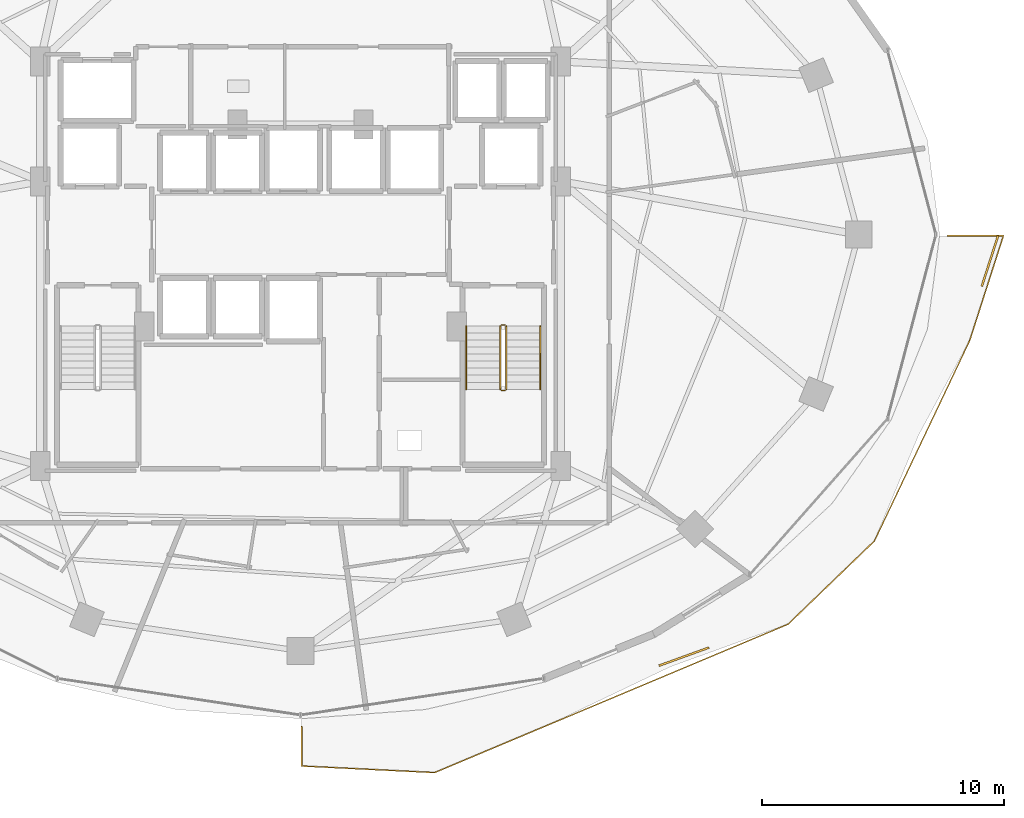
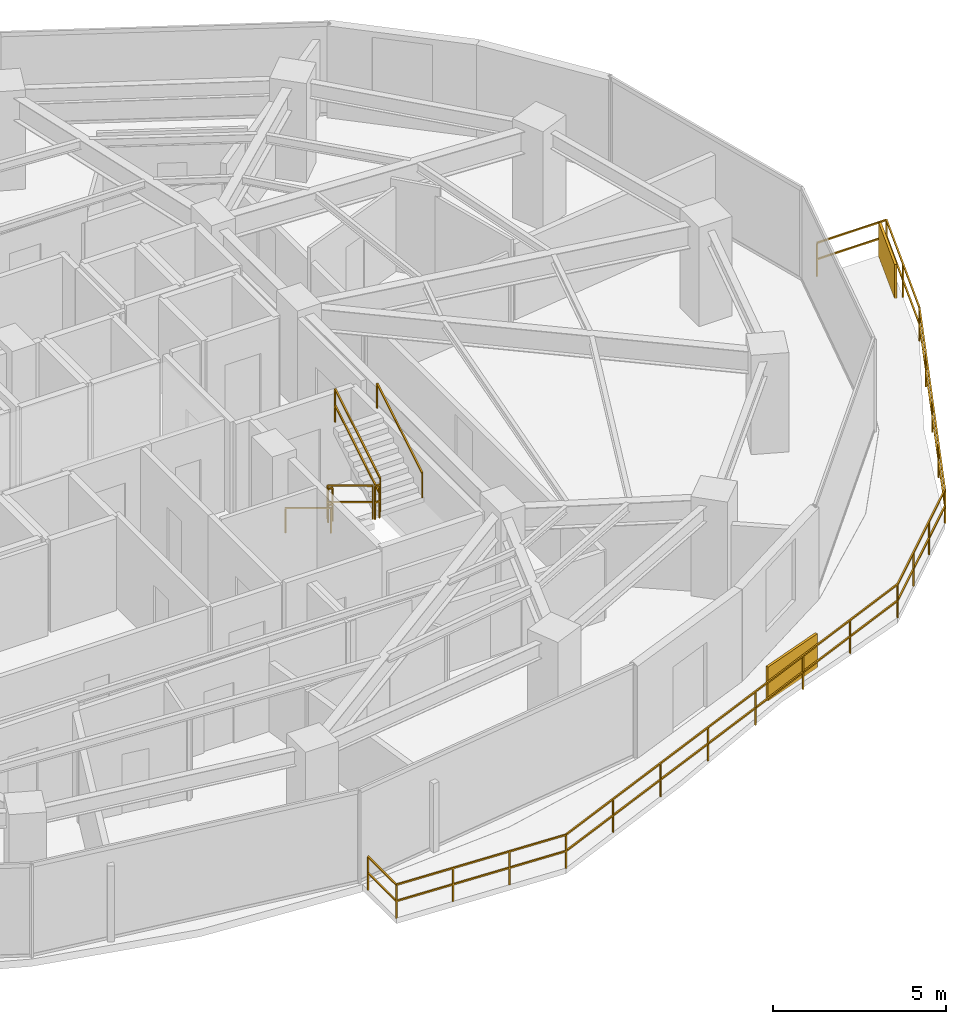
# One storey, part 28 of 30: 8 railings, 2 shading devices.
"""IFC4 building model written with IfcOpenShell, lengths in metres."""

from ifc_helpers import new_model, si_unit, direction, frame, origin, origin_2d, place, context, subcontext, project, spatial, rectangle, extrude, material, type_object, element, save


model = new_model("IFC4")

# Units and contexts
model_context = context("Model", 3, precision=1e-05, world=origin(), true_north=direction((0.0, 1.0)))
body_context = subcontext(model_context, "Body", "Model", "MODEL_VIEW")
ifc_project = project(units=[si_unit("LENGTHUNIT", "METRE"), si_unit("AREAUNIT", "SQUARE_METRE"), si_unit("VOLUMEUNIT", "CUBIC_METRE"), si_unit("PLANEANGLEUNIT", "RADIAN"), si_unit("MASSUNIT", "GRAM", prefix="KILO")], contexts=[model_context])

# Site, building, storey
site_placement = place(None, origin())
site = spatial("IfcSite", under=ifc_project, at=site_placement, CompositionType="ELEMENT")
building_placement = place(site_placement, origin())
building = spatial("IfcBuilding", under=site, at=building_placement, Name="Vorneva Point Tower", CompositionType="ELEMENT")
storey_placement = place(building_placement, frame((0.0, 0.0, 92.800048828125)))
storey = spatial("IfcBuildingStorey", under=building, at=storey_placement, Name="L24", CompositionType="ELEMENT", Elevation=92.800048828125)

# Railings
ifc_material_1 = material(Name="Pale anodised aluminium", Category="aluminium")
railing_type_1 = type_object("IfcRailingType", Name="RL-BAL-1200", PredefinedType="BALUSTRADE", material=ifc_material_1)
railing_1_placement = place(storey_placement, frame((65.646728515625, 21.6376953125, 0.0)))
element("IfcRailing", 1, at=railing_1_placement, inside=storey, type_object=railing_type_1, Name="L24 Wave Balcony Balustrade SE.1", PredefinedType="BALUSTRADE", context=body_context, shape_type="SweptSolid", body=[
    extrude(rectangle(XDim=0.048095703125, YDim=0.048095703125, at=origin_2d()), frame((0.0, 0.0, 1.17578125), z_axis=(0.306234224513, 0.951956196333, 0.0), x_axis=(-0.951956196333, 0.306234224513, 0.0)), (0.0, 0.0, 1.0), 4.52978515625),
    extrude(rectangle(XDim=0.048095703125, YDim=0.048095703125, at=origin_2d()), frame((0.0, 0.0, 0.60009765625), z_axis=(0.306234224513, 0.951956196333, 0.0), x_axis=(-0.951956196333, 0.306234224513, 0.0)), (0.0, 0.0, 1.0), 4.52978515625),
    extrude(rectangle(XDim=0.048095703125, YDim=0.048095703125, at=origin_2d()), frame((1.38720703125, 4.312255859375, 1.17578125), z_axis=(-1.0, 0.0, 0.0), x_axis=(0.0, -1.0, 0.0)), (0.0, 0.0, 1.0), 2.317626953125),
    extrude(rectangle(XDim=0.048095703125, YDim=0.048095703125, at=origin_2d()), frame((1.38720703125, 4.312255859375, 0.60009765625), z_axis=(-1.0, 0.0, 0.0), x_axis=(0.0, -1.0, 0.0)), (0.0, 0.0, 1.0), 2.317626953125),
    extrude(rectangle(XDim=0.0419921875, YDim=0.0419921875, at=origin_2d()), origin(), (0.0, 0.0, 1.0), 1.15185546875),
    extrude(rectangle(XDim=0.0419921875, YDim=0.0419921875, at=origin_2d()), frame((0.693603515625, 2.15625, 0.0)), (0.0, 0.0, 1.0), 1.15185546875),
    extrude(rectangle(XDim=0.0419921875, YDim=0.0419921875, at=origin_2d()), frame((1.38720703125, 4.312255859375, 0.0)), (0.0, 0.0, 1.0), 1.15185546875),
    extrude(rectangle(XDim=0.0419921875, YDim=0.0419921875, at=origin_2d()), frame((-0.930419921875, 4.312255859375, 0.0)), (0.0, 0.0, 1.0), 1.15185546875),
])
railing_2_placement = place(storey_placement, frame((38.050048828125, 5.682861328125, 0.0)))
element("IfcRailing", 2, at=railing_2_placement, inside=storey, type_object=railing_type_1, Name="L24 Wave Balcony Balustrade SE.2", PredefinedType="BALUSTRADE", context=body_context, shape_type="SweptSolid", body=[
    extrude(rectangle(XDim=0.048095703125, YDim=0.048095703125, at=origin_2d()), frame((0.0, 0.0, 1.17578125), z_axis=(0.0, -1.0, 0.0), x_axis=(1.0, 0.0, 0.0)), (0.0, 0.0, 1.0), 1.63525390625),
    extrude(rectangle(XDim=0.048095703125, YDim=0.048095703125, at=origin_2d()), frame((0.0, 0.0, 0.60009765625), z_axis=(0.0, -1.0, 0.0), x_axis=(1.0, 0.0, 0.0)), (0.0, 0.0, 1.0), 1.63525390625),
    extrude(rectangle(XDim=0.048095703125, YDim=0.048095703125, at=origin_2d()), frame((0.0, -1.63525390625, 1.17578125), z_axis=(0.998789693161, -0.049184843557, 0.0), x_axis=(0.049184843557, 0.998789693161, 0.0)), (0.0, 0.0, 1.0), 5.499755859375),
    extrude(rectangle(XDim=0.048095703125, YDim=0.048095703125, at=origin_2d()), frame((0.0, -1.63525390625, 0.60009765625), z_axis=(0.998789693161, -0.049184843557, 0.0), x_axis=(0.049184843557, 0.998789693161, 0.0)), (0.0, 0.0, 1.0), 5.499755859375),
    extrude(rectangle(XDim=0.048095703125, YDim=0.048095703125, at=origin_2d()), frame((5.4931640625, -1.90576171875, 1.17578125), z_axis=(0.921993663764, 0.387204963784, 0.0), x_axis=(-0.387204963784, 0.921993663764, 0.0)), (0.0, 0.0, 1.0), 15.836181640625),
    extrude(rectangle(XDim=0.048095703125, YDim=0.048095703125, at=origin_2d()), frame((5.4931640625, -1.90576171875, 0.60009765625), z_axis=(0.921993663764, 0.387204963784, 0.0), x_axis=(-0.387204963784, 0.921993663764, 0.0)), (0.0, 0.0, 1.0), 15.836181640625),
    extrude(rectangle(XDim=0.048095703125, YDim=0.048095703125, at=origin_2d()), frame((20.093994140625, 4.22607421875, 1.17578125), z_axis=(0.719945589265, 0.694030509775, 0.0), x_axis=(-0.694030509775, 0.719945589265, 0.0)), (0.0, 0.0, 1.0), 4.94580078125),
    extrude(rectangle(XDim=0.048095703125, YDim=0.048095703125, at=origin_2d()), frame((20.093994140625, 4.22607421875, 0.60009765625), z_axis=(0.719945589265, 0.694030509775, 0.0), x_axis=(-0.694030509775, 0.719945589265, 0.0)), (0.0, 0.0, 1.0), 4.94580078125),
    extrude(rectangle(XDim=0.048095703125, YDim=0.048095703125, at=origin_2d()), frame((23.65478515625, 7.65869140625, 1.17578125), z_axis=(0.429165789388, 0.903225733258, 0.0), x_axis=(-0.903225733258, 0.429165789388, 0.0)), (0.0, 0.0, 1.0), 9.18505859375),
    extrude(rectangle(XDim=0.048095703125, YDim=0.048095703125, at=origin_2d()), frame((23.65478515625, 7.65869140625, 0.60009765625), z_axis=(0.429165789388, 0.903225733258, 0.0), x_axis=(-0.903225733258, 0.429165789388, 0.0)), (0.0, 0.0, 1.0), 9.18505859375),
    extrude(rectangle(XDim=0.0419921875, YDim=0.0419921875, at=origin_2d()), origin(), (0.0, 0.0, 1.0), 1.15185546875),
    extrude(rectangle(XDim=0.0419921875, YDim=0.0419921875, at=origin_2d()), frame((0.0, -1.63525390625, 0.0)), (0.0, 0.0, 1.0), 1.15185546875),
    extrude(rectangle(XDim=0.0419921875, YDim=0.0419921875, at=origin_2d()), frame((1.8310546875, -1.725341796875, 0.0)), (0.0, 0.0, 1.0), 1.15185546875),
    extrude(rectangle(XDim=0.0419921875, YDim=0.0419921875, at=origin_2d()), frame((3.662109375, -1.815673828125, 0.0)), (0.0, 0.0, 1.0), 1.15185546875),
    extrude(rectangle(XDim=0.0419921875, YDim=0.0419921875, at=origin_2d()), frame((5.4931640625, -1.90576171875, 0.0)), (0.0, 0.0, 1.0), 1.15185546875),
    extrude(rectangle(XDim=0.0419921875, YDim=0.0419921875, at=origin_2d()), frame((7.5791015625, -1.02978515625, 0.0)), (0.0, 0.0, 1.0), 1.15185546875),
    extrude(rectangle(XDim=0.0419921875, YDim=0.0419921875, at=origin_2d()), frame((9.664794921875, -0.15380859375, 0.0)), (0.0, 0.0, 1.0), 1.15185546875),
    extrude(rectangle(XDim=0.0419921875, YDim=0.0419921875, at=origin_2d()), frame((11.750732421875, 0.72216796875, 0.0)), (0.0, 0.0, 1.0), 1.15185546875),
    extrude(rectangle(XDim=0.0419921875, YDim=0.0419921875, at=origin_2d()), frame((13.83642578125, 1.59814453125, 0.0)), (0.0, 0.0, 1.0), 1.15185546875),
    extrude(rectangle(XDim=0.0419921875, YDim=0.0419921875, at=origin_2d()), frame((15.92236328125, 2.47412109375, 0.0)), (0.0, 0.0, 1.0), 1.15185546875),
    extrude(rectangle(XDim=0.0419921875, YDim=0.0419921875, at=origin_2d()), frame((18.008056640625, 3.35009765625, 0.0)), (0.0, 0.0, 1.0), 1.15185546875),
    extrude(rectangle(XDim=0.0419921875, YDim=0.0419921875, at=origin_2d()), frame((20.093994140625, 4.22607421875, 0.0)), (0.0, 0.0, 1.0), 1.15185546875),
    extrude(rectangle(XDim=0.0419921875, YDim=0.0419921875, at=origin_2d()), frame((21.281005859375, 5.370361328125, 0.0)), (0.0, 0.0, 1.0), 1.15185546875),
    extrude(rectangle(XDim=0.0419921875, YDim=0.0419921875, at=origin_2d()), frame((22.4677734375, 6.514404296875, 0.0)), (0.0, 0.0, 1.0), 1.15185546875),
    extrude(rectangle(XDim=0.0419921875, YDim=0.0419921875, at=origin_2d()), frame((23.65478515625, 7.65869140625, 0.0)), (0.0, 0.0, 1.0), 1.15185546875),
    extrude(rectangle(XDim=0.0419921875, YDim=0.0419921875, at=origin_2d()), frame((24.64013671875, 9.732666015625, 0.0)), (0.0, 0.0, 1.0), 1.15185546875),
    extrude(rectangle(XDim=0.0419921875, YDim=0.0419921875, at=origin_2d()), frame((25.625732421875, 11.806640625, 0.0)), (0.0, 0.0, 1.0), 1.15185546875),
    extrude(rectangle(XDim=0.0419921875, YDim=0.0419921875, at=origin_2d()), frame((26.611328125, 13.880859375, 0.0)), (0.0, 0.0, 1.0), 1.15185546875),
    extrude(rectangle(XDim=0.0419921875, YDim=0.0419921875, at=origin_2d()), frame((27.5966796875, 15.954833984375, 0.0)), (0.0, 0.0, 1.0), 1.15185546875),
])
ifc_material_2 = material(Name="Brushed stainless steel S304", Category="steel")
railing_type_2 = type_object("IfcRailingType", Name="RL-HND-920", PredefinedType="HANDRAIL", material=ifc_material_2)
railing_3_placement = place(storey_placement, frame((44.85009765625, 22.219970703125, 0.175048828125)))
element("IfcRailing", 3, at=railing_3_placement, inside=storey, type_object=railing_type_2, Name="L24 ST2 stair handrail 1", PredefinedType="HANDRAIL", context=body_context, shape_type="SweptSolid", body=[
    extrude(rectangle(XDim=0.048095703125, YDim=0.048095703125, at=origin_2d()), frame((0.0, 0.0, 0.8759765625), z_axis=(0.0, -0.85618277418, 0.516673066065), x_axis=(1.0, 0.0, 0.0)), (0.0, 0.0, 1.0), 3.04833984375),
    extrude(rectangle(XDim=0.0419921875, YDim=0.0419921875, at=origin_2d()), origin(), (0.0, 0.0, 1.0), 0.851806640625),
    extrude(rectangle(XDim=0.0419921875, YDim=0.0419921875, at=origin_2d()), frame((0.0, -2.60986328125, 1.574951171875)), (0.0, 0.0, 1.0), 0.851806640625),
])
railing_4_placement = place(storey_placement, frame((47.89990234375, 19.610107421875, 1.925048828125)))
element("IfcRailing", 4, at=railing_4_placement, inside=storey, type_object=railing_type_2, Name="L24 ST2 stair handrail 2", PredefinedType="HANDRAIL", context=body_context, shape_type="SweptSolid", body=[
    extrude(rectangle(XDim=0.048095703125, YDim=0.048095703125, at=origin_2d()), frame((0.0, 0.0, 0.8759765625), z_axis=(0.0, 0.85618277418, 0.516673066065), x_axis=(-1.0, 0.0, 0.0)), (0.0, 0.0, 1.0), 3.04833984375),
    extrude(rectangle(XDim=0.0419921875, YDim=0.0419921875, at=origin_2d()), origin(), (0.0, 0.0, 1.0), 0.851806640625),
    extrude(rectangle(XDim=0.0419921875, YDim=0.0419921875, at=origin_2d()), frame((0.0, 2.60986328125, 1.574951171875)), (0.0, 0.0, 1.0), 0.851806640625),
])
railing_type_3 = type_object("IfcRailingType", Name="RL-STG-1100", PredefinedType="GUARDRAIL", material=ifc_material_2)
railing_5_placement = place(storey_placement, frame((46.25, 22.219970703125, 0.175048828125)))
element("IfcRailing", 5, at=railing_5_placement, inside=storey, type_object=railing_type_3, Name="L24 ST2 stair guard 1", PredefinedType="GUARDRAIL", context=body_context, shape_type="SweptSolid", body=[
    extrude(rectangle(XDim=0.048095703125, YDim=0.048095703125, at=origin_2d()), frame((0.0, 0.0, 1.17578125), z_axis=(0.0, -0.85618277418, 0.516673066065), x_axis=(1.0, 0.0, 0.0)), (0.0, 0.0, 1.0), 3.04833984375),
    extrude(rectangle(XDim=0.048095703125, YDim=0.048095703125, at=origin_2d()), frame((0.0, 0.0, 0.60009765625), z_axis=(0.0, -0.85618277418, 0.516673066065), x_axis=(1.0, 0.0, 0.0)), (0.0, 0.0, 1.0), 3.04833984375),
    extrude(rectangle(XDim=0.0419921875, YDim=0.0419921875, at=origin_2d()), origin(), (0.0, 0.0, 1.0), 1.15185546875),
    extrude(rectangle(XDim=0.0419921875, YDim=0.0419921875, at=origin_2d()), frame((0.0, -2.60986328125, 1.574951171875)), (0.0, 0.0, 1.0), 1.15185546875),
])
railing_6_placement = place(storey_placement, frame((46.300048828125, 19.56005859375, 1.75)))
element("IfcRailing", 6, at=railing_6_placement, inside=storey, type_object=railing_type_3, Name="L24 ST2 stair guard 2", PredefinedType="GUARDRAIL", context=body_context, shape_type="SweptSolid", body=[
    extrude(rectangle(XDim=0.048095703125, YDim=0.048095703125, at=origin_2d()), frame((0.0, 0.0, 1.17578125), z_axis=(1.0, 0.0, 0.0), x_axis=(0.0, 1.0, 0.0)), (0.0, 0.0, 1.0), 0.14990234375),
    extrude(rectangle(XDim=0.048095703125, YDim=0.048095703125, at=origin_2d()), frame((0.0, 0.0, 0.60009765625), z_axis=(1.0, 0.0, 0.0), x_axis=(0.0, 1.0, 0.0)), (0.0, 0.0, 1.0), 0.14990234375),
    extrude(rectangle(XDim=0.0419921875, YDim=0.0419921875, at=origin_2d()), origin(), (0.0, 0.0, 1.0), 1.15185546875),
    extrude(rectangle(XDim=0.0419921875, YDim=0.0419921875, at=origin_2d()), frame((0.14990234375, 0.0, 0.0)), (0.0, 0.0, 1.0), 1.15185546875),
])
railing_7_placement = place(storey_placement, frame((46.5, 19.610107421875, 1.925048828125)))
element("IfcRailing", 7, at=railing_7_placement, inside=storey, type_object=railing_type_3, Name="L24 ST2 stair guard 3", PredefinedType="GUARDRAIL", context=body_context, shape_type="SweptSolid", body=[
    extrude(rectangle(XDim=0.048095703125, YDim=0.048095703125, at=origin_2d()), frame((0.0, 0.0, 1.17578125), z_axis=(0.0, 0.85618277418, 0.516673066065), x_axis=(-1.0, 0.0, 0.0)), (0.0, 0.0, 1.0), 3.04833984375),
    extrude(rectangle(XDim=0.048095703125, YDim=0.048095703125, at=origin_2d()), frame((0.0, 0.0, 0.60009765625), z_axis=(0.0, 0.85618277418, 0.516673066065), x_axis=(-1.0, 0.0, 0.0)), (0.0, 0.0, 1.0), 3.04833984375),
    extrude(rectangle(XDim=0.0419921875, YDim=0.0419921875, at=origin_2d()), origin(), (0.0, 0.0, 1.0), 1.15185546875),
    extrude(rectangle(XDim=0.0419921875, YDim=0.0419921875, at=origin_2d()), frame((0.0, 2.60986328125, 1.574951171875)), (0.0, 0.0, 1.0), 1.15185546875),
])
railing_8_placement = place(storey_placement, frame((46.300048828125, 22.27001953125, 0.0)))
element("IfcRailing", 8, at=railing_8_placement, inside=storey, type_object=railing_type_3, Name="L24 ST2 stair guard 4", PredefinedType="GUARDRAIL", context=body_context, shape_type="SweptSolid", body=[
    extrude(rectangle(XDim=0.048095703125, YDim=0.048095703125, at=origin_2d()), frame((0.0, 0.0, 1.17578125), z_axis=(1.0, 0.0, 0.0), x_axis=(0.0, 1.0, 0.0)), (0.0, 0.0, 1.0), 0.14990234375),
    extrude(rectangle(XDim=0.048095703125, YDim=0.048095703125, at=origin_2d()), frame((0.0, 0.0, 0.60009765625), z_axis=(1.0, 0.0, 0.0), x_axis=(0.0, 1.0, 0.0)), (0.0, 0.0, 1.0), 0.14990234375),
    extrude(rectangle(XDim=0.0419921875, YDim=0.0419921875, at=origin_2d()), origin(), (0.0, 0.0, 1.0), 1.15185546875),
    extrude(rectangle(XDim=0.0419921875, YDim=0.0419921875, at=origin_2d()), frame((0.14990234375, 0.0, 0.0)), (0.0, 0.0, 1.0), 1.15185546875),
])

# Shading devices
shading_device_type = type_object("IfcShadingDeviceType", Name="SHD-JAL-1200", PredefinedType="JALOUSIE", material=ifc_material_1)
for number, where, z_axis, x_axis, name in (
    (9, (66.475341796875, 24.905517578125, -0.02001953125), (0.0, 0.0, 1.0), (0.306227026628, 0.951958511786, 0.0), "L24 Balcony Vertical-Greenery Planter Screen SE.1"),
    (10, (53.839111328125, 8.567138671875, -0.02001953125), (0.0, 0.0, 1.0), (0.940294067611, 0.340363139037, 0.0), "L24 Balcony Vertical-Greenery Planter Screen SE.2"),
):
    element("IfcShadingDevice", number, at=place(storey_placement, frame(where, z_axis=z_axis, x_axis=x_axis)), inside=storey, type_object=shading_device_type, Name=name, PredefinedType="JALOUSIE", context=body_context, shape_type="SweptSolid", body=[
        extrude(rectangle(XDim=2.199951171875, YDim=0.080078125, at=origin_2d()), origin(), (0.0, 0.0, 1.0), 1.199951171875),
    ])

save(model, "model.ifc")
